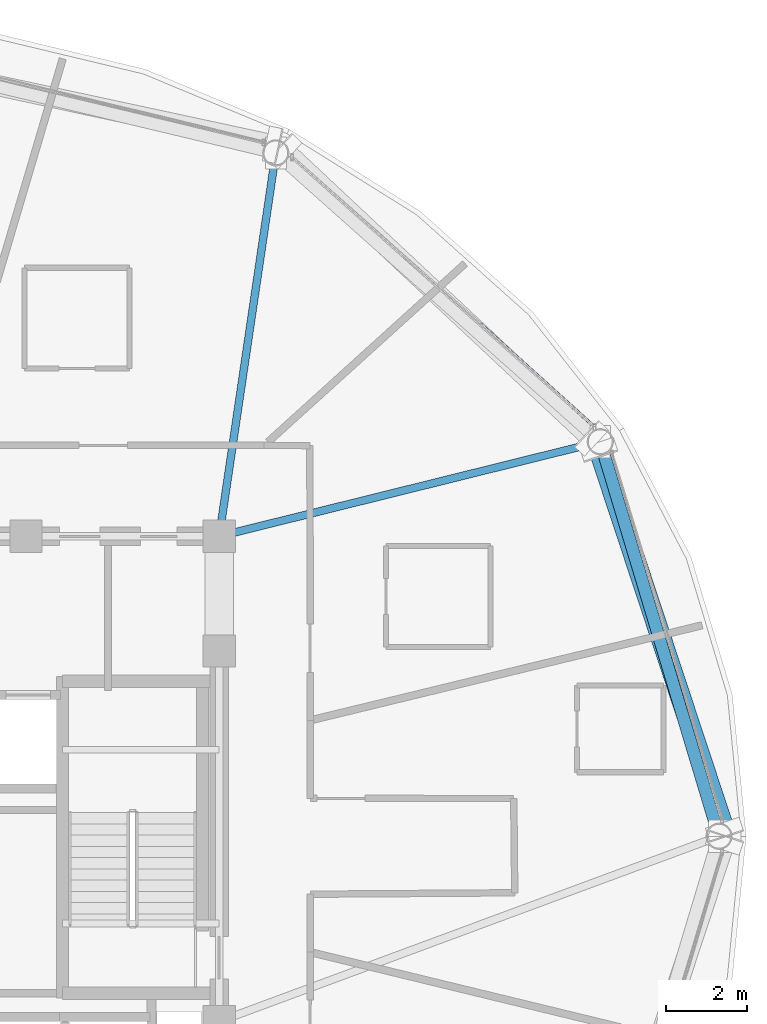
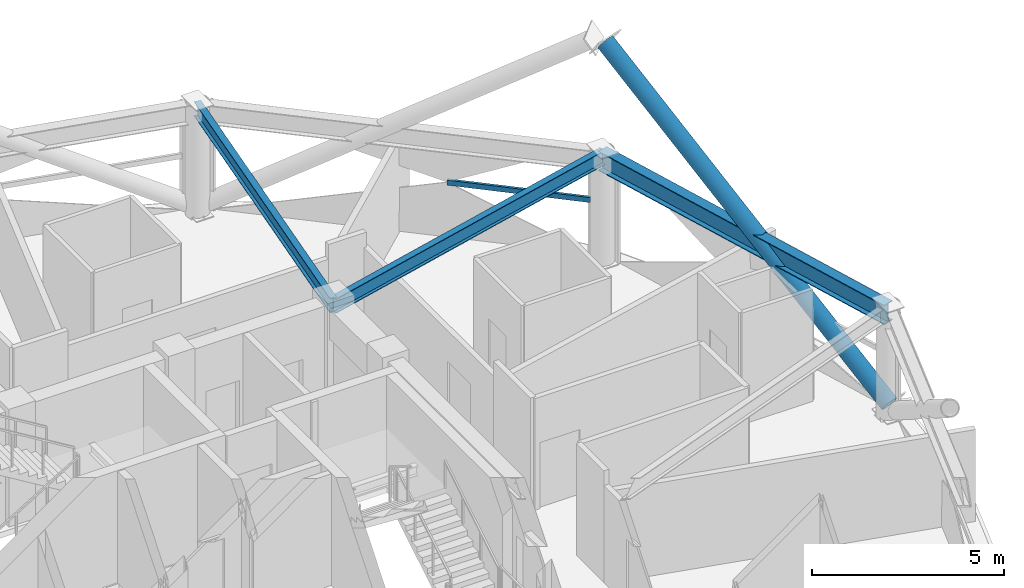
# One storey, part 14 of 29: 3 beams, 2 members, 1 element without a shape of its own.
"""IFC4 building model written with IfcOpenShell, lengths in metres."""

from ifc_helpers import new_model, si_unit, direction, frame, origin, origin_2d, place, context, subcontext, project, spatial, hollow_rectangle, hollow_circle, i_section, extrude, material, layer, layer_set, material_profile, profile_set, type_object, element, aggregate, save


model = new_model("IFC4")

# Units and contexts
model_context = context("Model", 3, precision=1e-05, world=origin(), true_north=direction((0.0, 1.0)))
body_context = subcontext(model_context, "Body", "Model", "MODEL_VIEW")
ifc_project = project(units=[si_unit("LENGTHUNIT", "METRE"), si_unit("AREAUNIT", "SQUARE_METRE"), si_unit("VOLUMEUNIT", "CUBIC_METRE"), si_unit("PLANEANGLEUNIT", "RADIAN"), si_unit("MASSUNIT", "GRAM", prefix="KILO")], contexts=[model_context])

# Site, building, storey
site_placement = place(None, origin())
site = spatial("IfcSite", under=ifc_project, at=site_placement, CompositionType="ELEMENT")
building_placement = place(site_placement, origin())
building = spatial("IfcBuilding", under=site, at=building_placement, Name="Vantalir Tower", CompositionType="ELEMENT")
storey_placement = place(building_placement, frame((0.0, 0.0, 227.39990234375)))
storey = spatial("IfcBuildingStorey", under=building, at=storey_placement, Name="L57", CompositionType="ELEMENT", Elevation=227.39990234375)

# Beams
ifc_material_1 = material(Name="Steel S355", Category="steel")
ifc_material_profile_1 = material_profile(ifc_material_1, i_section(OverallWidth=0.19189453125, OverallDepth=0.462890625, WebThickness=0.010498046875, FlangeThickness=0.017578125, at=origin_2d()), Name="Steel S355")
ifc_profile_set_1 = profile_set([ifc_material_profile_1], Name="Steel S355")
beam_type_1 = type_object("IfcBeamType", Name="BM-RB-457x191", PredefinedType="BEAM", material=ifc_profile_set_1)
beam_1_placement = place(storey_placement, frame((50.56396484375, 34.798095703125, 3.338134765625), z_axis=(-0.970571038556, -0.240814989393, 0.0), x_axis=(0.240814989393, -0.970571038556, 0.0)))
element("IfcBeam", 1, at=beam_1_placement, inside=storey, type_object=beam_type_1, Name="L57 Radial Floor Beam 02", PredefinedType="BEAM", context=body_context, shape_type="SweptSolid", body=[
    extrude(i_section(OverallWidth=0.19189453125, OverallDepth=0.462890625, WebThickness=0.010498046875, FlangeThickness=0.017578125, at=origin_2d()), origin(), (0.0, 0.0, 1.0), 9.750732421875),
])
beam_2_placement = place(storey_placement, frame((42.506103515625, 41.970947265625, 3.338134765625), z_axis=(-0.146089890003, -0.989271319729, 0.0), x_axis=(0.989271319729, -0.146089890003, 0.0)))
element("IfcBeam", 2, at=beam_2_placement, inside=storey, type_object=beam_type_1, Name="L57 Radial Floor Beam 03", PredefinedType="BEAM", context=body_context, shape_type="SweptSolid", body=[
    extrude(i_section(OverallWidth=0.19189453125, OverallDepth=0.462890625, WebThickness=0.010498046875, FlangeThickness=0.017578125, at=origin_2d()), origin(), (0.0, 0.0, 1.0), 9.624267578125),
])
ifc_material_2 = material(Name="Steel S460", Category="steel")
ifc_material_profile_2 = material_profile(ifc_material_2, i_section(OverallWidth=0.306884765625, OverallDepth=0.6201171875, WebThickness=0.01416015625, FlangeThickness=0.023681640625, at=origin_2d()), Name="Steel S460")
ifc_profile_set_2 = profile_set([ifc_material_profile_2], Name="Steel S460")
beam_type_2 = type_object("IfcBeamType", Name="BM-RG-610x305", PredefinedType="USERDEFINED", material=ifc_profile_set_2)
beam_3_placement = place(storey_placement, frame((53.512939453125, 25.0, 3.260009765625), z_axis=(-0.288203662464, 0.957569135333, 0.0), x_axis=(-0.957569135333, -0.288203662464, 0.0)))
element("IfcBeam", 3, at=beam_3_placement, inside=storey, type_object=beam_type_2, Name="L57 Circumferential Ring Girder 01", ObjectType="GIRDER", PredefinedType="USERDEFINED", context=body_context, shape_type="SweptSolid", body=[
    extrude(i_section(OverallWidth=0.306884765625, OverallDepth=0.6201171875, WebThickness=0.01416015625, FlangeThickness=0.023681640625, at=origin_2d()), origin(), (0.0, 0.0, 1.0), 10.232177734375),
])

# Curtain wall, member
ifc_material_3 = material(Name="Champagne-silver PVDF aluminium and double-silver Low-E glass", Category="aluminium")
ifc_layer = layer(ifc_material_3, 0.2099609375)
ifc_layer_set = layer_set([ifc_layer], Name="Champagne-silver PVDF aluminium and double-silver Low-E glass")
curtain_wall_type = type_object("IfcCurtainWallType", Name="CW-DIAMOND-Z3", PredefinedType="USERDEFINED", material=ifc_layer_set)
curtain_wall_placement = place(storey_placement, origin())
curtain_wall = element("IfcCurtainWall", 4, at=curtain_wall_placement, inside=storey, type_object=curtain_wall_type, Name="L57 Quilted Pyramid-Diamond Curtain Wall S02", ObjectType="UNITISED CURTAIN WALL", PredefinedType="USERDEFINED")
ifc_material_4 = material(Name="Champagne-silver PVDF aluminium 6063-T6", Category="aluminium")
ifc_material_profile_3 = material_profile(ifc_material_4, hollow_rectangle(XDim=0.074951171875, YDim=0.159912109375, WallThickness=0.00390625, at=origin_2d()), Name="Champagne-silver PVDF aluminium 6063-T6")
ifc_profile_set_3 = profile_set([ifc_material_profile_3], Name="Champagne-silver PVDF aluminium 6063-T6")
member_type_1 = type_object("IfcMemberType", Name="CWT-160x75", PredefinedType="USERDEFINED", material=ifc_profile_set_3)
member_1_placement = place(storey_placement, frame((50.422119140625, 35.166015625, 1.78515625), z_axis=(-0.742559753379, 0.669779824018, 0.0), x_axis=(-0.669779824018, -0.742559753379, 0.0)))
member_1 = element("IfcMember", 5, at=member_1_placement, type_object=member_type_1, Name="CW-L57-S02 Pyramid Fold Ridge Transom", ObjectType="TRANSOM", PredefinedType="USERDEFINED", context=body_context, shape_type="SweptSolid", body=[
    extrude(hollow_rectangle(XDim=0.074951171875, YDim=0.159912109375, WallThickness=0.00390625, at=origin_2d()), origin(), (0.0, 0.0, 1.0), 3.82080078125),
])
aggregate(curtain_wall, [member_1])

# Member
ifc_material_profile_4 = material_profile(ifc_material_2, hollow_circle(Radius=0.25, WallThickness=0.031982421875, at=origin_2d()), Name="Steel S460")
ifc_profile_set_4 = profile_set([ifc_material_profile_4], Name="Steel S460")
member_type_2 = type_object("IfcMemberType", Name="MEM-DB-500x32", PredefinedType="BRACE", material=ifc_profile_set_4)
member_2_placement = place(storey_placement, frame((53.64599609375, 25.1708984375, 0.2060546875), z_axis=(-0.257746633058, 0.77913678994, 0.571412754241), x_axis=(-0.949399401142, -0.31407129304, 0.0)))
element("IfcMember", 6, at=member_2_placement, inside=storey, type_object=member_type_2, Name="L57 Perimeter S460 Diagrid Brace R01L", PredefinedType="BRACE", context=body_context, shape_type="SweptSolid", body=[
    extrude(hollow_circle(Radius=0.25, WallThickness=0.031982421875, at=origin_2d()), origin(), (0.0, 0.0, 1.0), 12.08935546875),
])

save(model, "model.ifc")
